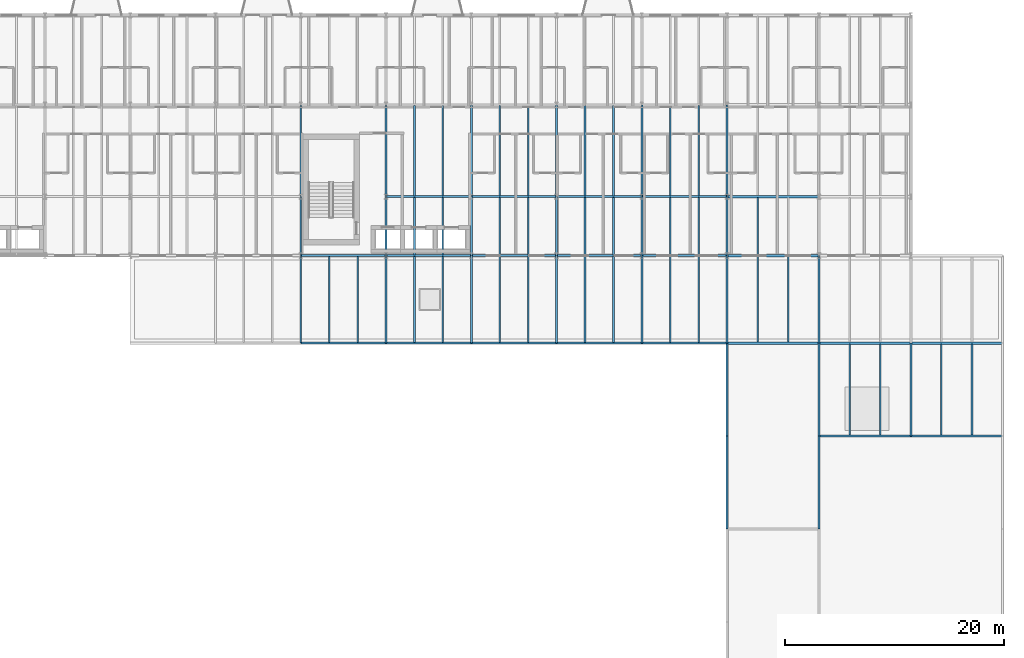
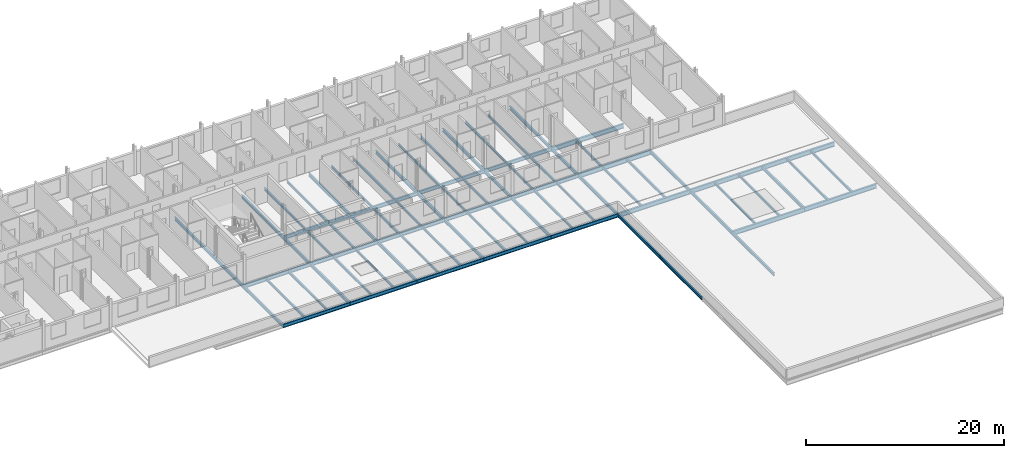
# One storey, part 13 of 36: 78 beams.
"""IFC4 building model written with IfcOpenShell, lengths in metres."""

from ifc_helpers import new_model, si_unit, direction, frame, origin, origin_2d, place, context, subcontext, project, spatial, i_section, extrude, material, material_profile, profile_set, type_object, element, save


model = new_model("IFC4")

# Units and contexts
model_context = context("Model", 3, precision=1e-05, world=origin(), true_north=direction((0.0, 1.0)))
body_context = subcontext(model_context, "Body", "Model", "MODEL_VIEW")
ifc_project = project(units=[si_unit("LENGTHUNIT", "METRE"), si_unit("AREAUNIT", "SQUARE_METRE"), si_unit("VOLUMEUNIT", "CUBIC_METRE"), si_unit("PLANEANGLEUNIT", "RADIAN"), si_unit("MASSUNIT", "GRAM", prefix="KILO")], contexts=[model_context])

# Site, building, storey
site_placement = place(None, origin())
site = spatial("IfcSite", under=ifc_project, at=site_placement, CompositionType="ELEMENT")
building_placement = place(site_placement, origin())
building = spatial("IfcBuilding", under=site, at=building_placement, Name="Sefraquen Railside Congress Hotel", CompositionType="ELEMENT")
storey_placement = place(building_placement, frame((0.0, 0.0, 24.60009765625)))
storey = spatial("IfcBuildingStorey", under=building, at=storey_placement, Name="L05", CompositionType="ELEMENT", Elevation=24.60009765625)

# Beams
ifc_material = material(Name="Steel S355JR", Category="steel")
ifc_material_profile_1 = material_profile(ifc_material, i_section(OverallWidth=0.179931640625, OverallDepth=0.39990234375, WebThickness=0.008544921875, FlangeThickness=0.013427734375, FilletRadius=0.02099609375, at=origin_2d()), Name="IPE 400")
ifc_profile_set_1 = profile_set([ifc_material_profile_1], Name="Steel S355JR")
beam_type_1 = type_object("IfcBeamType", Name="TB-BM-400I", PredefinedType="BEAM", material=ifc_profile_set_1)
beam_1_placement = place(storey_placement, frame((64.199951171875, 88.0, -0.460205078125), z_axis=(0.0, 1.0, 0.0), x_axis=(-1.0, 0.0, 0.0)))
element("IfcBeam", 1, at=beam_1_placement, inside=storey, type_object=beam_type_1, Name="Floor beam BM-L05-1539", PredefinedType="BEAM", context=body_context, shape_type="SweptSolid", body=[
    extrude(i_section(OverallWidth=0.179931640625, OverallDepth=0.39990234375, WebThickness=0.008544921875, FlangeThickness=0.013427734375, FilletRadius=0.02099609375, at=origin_2d()), origin(), (0.0, 0.0, 1.0), 8.0),
])
beam_2_placement = place(storey_placement, frame((64.199951171875, 96.0, -0.460205078125), z_axis=(0.0, 1.0, 0.0), x_axis=(-1.0, 0.0, 0.0)))
element("IfcBeam", 2, at=beam_2_placement, inside=storey, type_object=beam_type_1, Name="Floor beam BM-L05-1540", PredefinedType="BEAM", context=body_context, shape_type="SweptSolid", body=[
    extrude(i_section(OverallWidth=0.179931640625, OverallDepth=0.39990234375, WebThickness=0.008544921875, FlangeThickness=0.013427734375, FilletRadius=0.02099609375, at=origin_2d()), origin(), (0.0, 0.0, 1.0), 5.39990234375),
])
beam_3_placement = place(storey_placement, frame((64.199951171875, 101.39990234375, -0.460205078125), z_axis=(0.0, 1.0, 0.0), x_axis=(-1.0, 0.0, 0.0)))
element("IfcBeam", 3, at=beam_3_placement, inside=storey, type_object=beam_type_1, Name="Floor beam BM-L05-1541", PredefinedType="BEAM", context=body_context, shape_type="SweptSolid", body=[
    extrude(i_section(OverallWidth=0.179931640625, OverallDepth=0.39990234375, WebThickness=0.008544921875, FlangeThickness=0.013427734375, FilletRadius=0.02099609375, at=origin_2d()), origin(), (0.0, 0.0, 1.0), 8.400146484375),
])
beam_4_placement = place(storey_placement, frame((72.0, 88.0, -0.460205078125), z_axis=(0.0, 1.0, 0.0), x_axis=(-1.0, 0.0, 0.0)))
element("IfcBeam", 4, at=beam_4_placement, inside=storey, type_object=beam_type_1, Name="Floor beam BM-L05-1543", PredefinedType="BEAM", context=body_context, shape_type="SweptSolid", body=[
    extrude(i_section(OverallWidth=0.179931640625, OverallDepth=0.39990234375, WebThickness=0.008544921875, FlangeThickness=0.013427734375, FilletRadius=0.02099609375, at=origin_2d()), origin(), (0.0, 0.0, 1.0), 8.0),
])
beam_5_placement = place(storey_placement, frame((72.0, 96.0, -0.460205078125), z_axis=(0.0, 1.0, 0.0), x_axis=(-1.0, 0.0, 0.0)))
element("IfcBeam", 5, at=beam_5_placement, inside=storey, type_object=beam_type_1, Name="Floor beam BM-L05-1544", PredefinedType="BEAM", context=body_context, shape_type="SweptSolid", body=[
    extrude(i_section(OverallWidth=0.179931640625, OverallDepth=0.39990234375, WebThickness=0.008544921875, FlangeThickness=0.013427734375, FilletRadius=0.02099609375, at=origin_2d()), origin(), (0.0, 0.0, 1.0), 5.39990234375),
])
beam_6_placement = place(storey_placement, frame((72.0, 101.39990234375, -0.460205078125), z_axis=(0.0, 1.0, 0.0), x_axis=(-1.0, 0.0, 0.0)))
element("IfcBeam", 6, at=beam_6_placement, inside=storey, type_object=beam_type_1, Name="Floor beam BM-L05-1545", PredefinedType="BEAM", context=body_context, shape_type="SweptSolid", body=[
    extrude(i_section(OverallWidth=0.179931640625, OverallDepth=0.39990234375, WebThickness=0.008544921875, FlangeThickness=0.013427734375, FilletRadius=0.02099609375, at=origin_2d()), origin(), (0.0, 0.0, 1.0), 8.400146484375),
])
beam_7_placement = place(storey_placement, frame((79.800048828125, 88.0, -0.460205078125), z_axis=(0.0, 1.0, 0.0), x_axis=(-1.0, 0.0, 0.0)))
element("IfcBeam", 7, at=beam_7_placement, inside=storey, type_object=beam_type_1, Name="Floor beam BM-L05-1547", PredefinedType="BEAM", context=body_context, shape_type="SweptSolid", body=[
    extrude(i_section(OverallWidth=0.179931640625, OverallDepth=0.39990234375, WebThickness=0.008544921875, FlangeThickness=0.013427734375, FilletRadius=0.02099609375, at=origin_2d()), origin(), (0.0, 0.0, 1.0), 8.0),
])
beam_8_placement = place(storey_placement, frame((79.800048828125, 96.0, -0.460205078125), z_axis=(0.0, 1.0, 0.0), x_axis=(-1.0, 0.0, 0.0)))
element("IfcBeam", 8, at=beam_8_placement, inside=storey, type_object=beam_type_1, Name="Floor beam BM-L05-1548", PredefinedType="BEAM", context=body_context, shape_type="SweptSolid", body=[
    extrude(i_section(OverallWidth=0.179931640625, OverallDepth=0.39990234375, WebThickness=0.008544921875, FlangeThickness=0.013427734375, FilletRadius=0.02099609375, at=origin_2d()), origin(), (0.0, 0.0, 1.0), 5.39990234375),
])
beam_9_placement = place(storey_placement, frame((79.800048828125, 101.39990234375, -0.460205078125), z_axis=(0.0, 1.0, 0.0), x_axis=(-1.0, 0.0, 0.0)))
element("IfcBeam", 9, at=beam_9_placement, inside=storey, type_object=beam_type_1, Name="Floor beam BM-L05-1549", PredefinedType="BEAM", context=body_context, shape_type="SweptSolid", body=[
    extrude(i_section(OverallWidth=0.179931640625, OverallDepth=0.39990234375, WebThickness=0.008544921875, FlangeThickness=0.013427734375, FilletRadius=0.02099609375, at=origin_2d()), origin(), (0.0, 0.0, 1.0), 8.400146484375),
])
beam_10_placement = place(storey_placement, frame((87.60009765625, 88.0, -0.460205078125), z_axis=(0.0, 1.0, 0.0), x_axis=(-1.0, 0.0, 0.0)))
element("IfcBeam", 10, at=beam_10_placement, inside=storey, type_object=beam_type_1, Name="Floor beam BM-L05-1551", PredefinedType="BEAM", context=body_context, shape_type="SweptSolid", body=[
    extrude(i_section(OverallWidth=0.179931640625, OverallDepth=0.39990234375, WebThickness=0.008544921875, FlangeThickness=0.013427734375, FilletRadius=0.02099609375, at=origin_2d()), origin(), (0.0, 0.0, 1.0), 8.0),
])
beam_11_placement = place(storey_placement, frame((87.60009765625, 96.0, -0.460205078125), z_axis=(0.0, 1.0, 0.0), x_axis=(-1.0, 0.0, 0.0)))
element("IfcBeam", 11, at=beam_11_placement, inside=storey, type_object=beam_type_1, Name="Floor beam BM-L05-1552", PredefinedType="BEAM", context=body_context, shape_type="SweptSolid", body=[
    extrude(i_section(OverallWidth=0.179931640625, OverallDepth=0.39990234375, WebThickness=0.008544921875, FlangeThickness=0.013427734375, FilletRadius=0.02099609375, at=origin_2d()), origin(), (0.0, 0.0, 1.0), 5.39990234375),
])
beam_12_placement = place(storey_placement, frame((87.60009765625, 101.39990234375, -0.460205078125), z_axis=(0.0, 1.0, 0.0), x_axis=(-1.0, 0.0, 0.0)))
element("IfcBeam", 12, at=beam_12_placement, inside=storey, type_object=beam_type_1, Name="Floor beam BM-L05-1553", PredefinedType="BEAM", context=body_context, shape_type="SweptSolid", body=[
    extrude(i_section(OverallWidth=0.179931640625, OverallDepth=0.39990234375, WebThickness=0.008544921875, FlangeThickness=0.013427734375, FilletRadius=0.02099609375, at=origin_2d()), origin(), (0.0, 0.0, 1.0), 8.400146484375),
])
beam_13_placement = place(storey_placement, frame((95.39990234375, 88.0, -0.460205078125), z_axis=(0.0, 1.0, 0.0), x_axis=(-1.0, 0.0, 0.0)))
element("IfcBeam", 13, at=beam_13_placement, inside=storey, type_object=beam_type_1, Name="Floor beam BM-L05-1555", PredefinedType="BEAM", context=body_context, shape_type="SweptSolid", body=[
    extrude(i_section(OverallWidth=0.179931640625, OverallDepth=0.39990234375, WebThickness=0.008544921875, FlangeThickness=0.013427734375, FilletRadius=0.02099609375, at=origin_2d()), origin(), (0.0, 0.0, 1.0), 8.0),
])
beam_14_placement = place(storey_placement, frame((95.39990234375, 96.0, -0.460205078125), z_axis=(0.0, 1.0, 0.0), x_axis=(-1.0, 0.0, 0.0)))
element("IfcBeam", 14, at=beam_14_placement, inside=storey, type_object=beam_type_1, Name="Floor beam BM-L05-1556", PredefinedType="BEAM", context=body_context, shape_type="SweptSolid", body=[
    extrude(i_section(OverallWidth=0.179931640625, OverallDepth=0.39990234375, WebThickness=0.008544921875, FlangeThickness=0.013427734375, FilletRadius=0.02099609375, at=origin_2d()), origin(), (0.0, 0.0, 1.0), 5.39990234375),
])
beam_15_placement = place(storey_placement, frame((95.39990234375, 101.39990234375, -0.460205078125), z_axis=(0.0, 1.0, 0.0), x_axis=(-1.0, 0.0, 0.0)))
element("IfcBeam", 15, at=beam_15_placement, inside=storey, type_object=beam_type_1, Name="Floor beam BM-L05-1557", PredefinedType="BEAM", context=body_context, shape_type="SweptSolid", body=[
    extrude(i_section(OverallWidth=0.179931640625, OverallDepth=0.39990234375, WebThickness=0.008544921875, FlangeThickness=0.013427734375, FilletRadius=0.02099609375, at=origin_2d()), origin(), (0.0, 0.0, 1.0), 8.400146484375),
])
for number, where, z_axis, x_axis, name in (
    (16, (103.199951171875, 71.0, -0.460205078125), (0.0, 1.0, 0.0), (-1.0, 0.0, 0.0), "Floor beam BM-L05-1561"),
    (17, (103.199951171875, 79.5, -0.460205078125), (0.0, 1.0, 0.0), (-1.0, 0.0, 0.0), "Floor beam BM-L05-1562"),
):
    element("IfcBeam", number, at=place(storey_placement, frame(where, z_axis=z_axis, x_axis=x_axis)), inside=storey, type_object=beam_type_1, Name=name, PredefinedType="BEAM", context=body_context, shape_type="SweptSolid", body=[
        extrude(i_section(OverallWidth=0.179931640625, OverallDepth=0.39990234375, WebThickness=0.008544921875, FlangeThickness=0.013427734375, FilletRadius=0.02099609375, at=origin_2d()), origin(), (0.0, 0.0, 1.0), 8.5),
    ])
beam_16_placement = place(storey_placement, frame((103.199951171875, 88.0, -0.460205078125), z_axis=(0.0, 1.0, 0.0), x_axis=(-1.0, 0.0, 0.0)))
element("IfcBeam", 18, at=beam_16_placement, inside=storey, type_object=beam_type_1, Name="Floor beam BM-L05-1563", PredefinedType="BEAM", context=body_context, shape_type="SweptSolid", body=[
    extrude(i_section(OverallWidth=0.179931640625, OverallDepth=0.39990234375, WebThickness=0.008544921875, FlangeThickness=0.013427734375, FilletRadius=0.02099609375, at=origin_2d()), origin(), (0.0, 0.0, 1.0), 8.0),
])
beam_17_placement = place(storey_placement, frame((103.199951171875, 96.0, -0.460205078125), z_axis=(0.0, 1.0, 0.0), x_axis=(-1.0, 0.0, 0.0)))
element("IfcBeam", 19, at=beam_17_placement, inside=storey, type_object=beam_type_1, Name="Floor beam BM-L05-1564", PredefinedType="BEAM", context=body_context, shape_type="SweptSolid", body=[
    extrude(i_section(OverallWidth=0.179931640625, OverallDepth=0.39990234375, WebThickness=0.008544921875, FlangeThickness=0.013427734375, FilletRadius=0.02099609375, at=origin_2d()), origin(), (0.0, 0.0, 1.0), 5.39990234375),
])
beam_18_placement = place(storey_placement, frame((103.199951171875, 101.39990234375, -0.460205078125), z_axis=(0.0, 1.0, 0.0), x_axis=(-1.0, 0.0, 0.0)))
element("IfcBeam", 20, at=beam_18_placement, inside=storey, type_object=beam_type_1, Name="Floor beam BM-L05-1565", PredefinedType="BEAM", context=body_context, shape_type="SweptSolid", body=[
    extrude(i_section(OverallWidth=0.179931640625, OverallDepth=0.39990234375, WebThickness=0.008544921875, FlangeThickness=0.013427734375, FilletRadius=0.02099609375, at=origin_2d()), origin(), (0.0, 0.0, 1.0), 8.400146484375),
])
for number, where, z_axis, x_axis, name in (
    (21, (111.60009765625, 71.0, -0.460205078125), (0.0, 1.0, 0.0), (-1.0, 0.0, 0.0), "Floor beam BM-L05-1569"),
    (22, (111.60009765625, 79.5, -0.460205078125), (0.0, 1.0, 0.0), (-1.0, 0.0, 0.0), "Floor beam BM-L05-1570"),
):
    element("IfcBeam", number, at=place(storey_placement, frame(where, z_axis=z_axis, x_axis=x_axis)), inside=storey, type_object=beam_type_1, Name=name, PredefinedType="BEAM", context=body_context, shape_type="SweptSolid", body=[
        extrude(i_section(OverallWidth=0.179931640625, OverallDepth=0.39990234375, WebThickness=0.008544921875, FlangeThickness=0.013427734375, FilletRadius=0.02099609375, at=origin_2d()), origin(), (0.0, 0.0, 1.0), 8.5),
    ])
beam_19_placement = place(storey_placement, frame((111.60009765625, 88.0, -0.460205078125), z_axis=(0.0, 1.0, 0.0), x_axis=(-1.0, 0.0, 0.0)))
element("IfcBeam", 23, at=beam_19_placement, inside=storey, type_object=beam_type_1, Name="Floor beam BM-L05-1571", PredefinedType="BEAM", context=body_context, shape_type="SweptSolid", body=[
    extrude(i_section(OverallWidth=0.179931640625, OverallDepth=0.39990234375, WebThickness=0.008544921875, FlangeThickness=0.013427734375, FilletRadius=0.02099609375, at=origin_2d()), origin(), (0.0, 0.0, 1.0), 8.0),
])
beam_20_placement = place(storey_placement, frame((120.0, 79.5, -0.460205078125), z_axis=(0.0, 1.0, 0.0), x_axis=(-1.0, 0.0, 0.0)))
element("IfcBeam", 24, at=beam_20_placement, inside=storey, type_object=beam_type_1, Name="Floor beam BM-L05-1576", PredefinedType="BEAM", context=body_context, shape_type="SweptSolid", body=[
    extrude(i_section(OverallWidth=0.179931640625, OverallDepth=0.39990234375, WebThickness=0.008544921875, FlangeThickness=0.013427734375, FilletRadius=0.02099609375, at=origin_2d()), origin(), (0.0, 0.0, 1.0), 8.5),
])
ifc_material_profile_2 = material_profile(ifc_material, i_section(OverallWidth=0.18994140625, OverallDepth=0.449951171875, WebThickness=0.009521484375, FlangeThickness=0.0146484375, FilletRadius=0.02099609375, at=origin_2d()), Name="IPE 450")
ifc_profile_set_2 = profile_set([ifc_material_profile_2], Name="Steel S355JR")
beam_type_2 = type_object("IfcBeamType", Name="TB-BM-450", PredefinedType="BEAM", material=ifc_profile_set_2)
for number, where, z_axis, x_axis, name in (
    (25, (64.199951171875, 88.0, -0.485107421875), (1.0, 0.0, 0.0), (0.0, 1.0, 0.0), "Primary girder BM-L05-1443"),
    (26, (72.0, 88.0, -0.485107421875), (1.0, 0.0, 0.0), (0.0, 1.0, 0.0), "Primary girder BM-L05-1444"),
    (27, (79.800048828125, 88.0, -0.485107421875), (1.0, 0.0, 0.0), (0.0, 1.0, 0.0), "Primary girder BM-L05-1445"),
):
    element("IfcBeam", number, at=place(storey_placement, frame(where, z_axis=z_axis, x_axis=x_axis)), inside=storey, type_object=beam_type_2, Name=name, PredefinedType="BEAM", context=body_context, shape_type="SweptSolid", body=[
        extrude(i_section(OverallWidth=0.18994140625, OverallDepth=0.449951171875, WebThickness=0.009521484375, FlangeThickness=0.0146484375, FilletRadius=0.02099609375, at=origin_2d()), origin(), (0.0, 0.0, 1.0), 7.800048828125),
    ])
beam_21_placement = place(storey_placement, frame((87.60009765625, 88.0, -0.485107421875), z_axis=(1.0, 0.0, 0.0), x_axis=(0.0, 1.0, 0.0)))
element("IfcBeam", 28, at=beam_21_placement, inside=storey, type_object=beam_type_2, Name="Primary girder BM-L05-1446", PredefinedType="BEAM", context=body_context, shape_type="SweptSolid", body=[
    extrude(i_section(OverallWidth=0.18994140625, OverallDepth=0.449951171875, WebThickness=0.009521484375, FlangeThickness=0.0146484375, FilletRadius=0.02099609375, at=origin_2d()), origin(), (0.0, 0.0, 1.0), 7.7998046875),
])
for number, where, z_axis, x_axis, name in (
    (29, (95.39990234375, 88.0, -0.485107421875), (1.0, 0.0, 0.0), (0.0, 1.0, 0.0), "Primary girder BM-L05-1447"),
    (30, (64.199951171875, 96.0, -0.485107421875), (1.0, 0.0, 0.0), (0.0, 1.0, 0.0), "Primary girder BM-L05-1458"),
    (31, (72.0, 96.0, -0.485107421875), (1.0, 0.0, 0.0), (0.0, 1.0, 0.0), "Primary girder BM-L05-1459"),
    (32, (79.800048828125, 96.0, -0.485107421875), (1.0, 0.0, 0.0), (0.0, 1.0, 0.0), "Primary girder BM-L05-1460"),
):
    element("IfcBeam", number, at=place(storey_placement, frame(where, z_axis=z_axis, x_axis=x_axis)), inside=storey, type_object=beam_type_2, Name=name, PredefinedType="BEAM", context=body_context, shape_type="SweptSolid", body=[
        extrude(i_section(OverallWidth=0.18994140625, OverallDepth=0.449951171875, WebThickness=0.009521484375, FlangeThickness=0.0146484375, FilletRadius=0.02099609375, at=origin_2d()), origin(), (0.0, 0.0, 1.0), 7.800048828125),
    ])
beam_22_placement = place(storey_placement, frame((87.60009765625, 96.0, -0.485107421875), z_axis=(1.0, 0.0, 0.0), x_axis=(0.0, 1.0, 0.0)))
element("IfcBeam", 33, at=beam_22_placement, inside=storey, type_object=beam_type_2, Name="Primary girder BM-L05-1461", PredefinedType="BEAM", context=body_context, shape_type="SweptSolid", body=[
    extrude(i_section(OverallWidth=0.18994140625, OverallDepth=0.449951171875, WebThickness=0.009521484375, FlangeThickness=0.0146484375, FilletRadius=0.02099609375, at=origin_2d()), origin(), (0.0, 0.0, 1.0), 7.7998046875),
])
for number, where, z_axis, x_axis, name in (
    (34, (95.39990234375, 96.0, -0.485107421875), (1.0, 0.0, 0.0), (0.0, 1.0, 0.0), "Primary girder BM-L05-1462"),
    (35, (72.0, 101.39990234375, -0.485107421875), (1.0, 0.0, 0.0), (0.0, 1.0, 0.0), "Primary girder BM-L05-1472"),
    (36, (79.800048828125, 101.39990234375, -0.485107421875), (1.0, 0.0, 0.0), (0.0, 1.0, 0.0), "Primary girder BM-L05-1473"),
):
    element("IfcBeam", number, at=place(storey_placement, frame(where, z_axis=z_axis, x_axis=x_axis)), inside=storey, type_object=beam_type_2, Name=name, PredefinedType="BEAM", context=body_context, shape_type="SweptSolid", body=[
        extrude(i_section(OverallWidth=0.18994140625, OverallDepth=0.449951171875, WebThickness=0.009521484375, FlangeThickness=0.0146484375, FilletRadius=0.02099609375, at=origin_2d()), origin(), (0.0, 0.0, 1.0), 7.800048828125),
    ])
beam_23_placement = place(storey_placement, frame((87.60009765625, 101.39990234375, -0.485107421875), z_axis=(1.0, 0.0, 0.0), x_axis=(0.0, 1.0, 0.0)))
element("IfcBeam", 37, at=beam_23_placement, inside=storey, type_object=beam_type_2, Name="Primary girder BM-L05-1474", PredefinedType="BEAM", context=body_context, shape_type="SweptSolid", body=[
    extrude(i_section(OverallWidth=0.18994140625, OverallDepth=0.449951171875, WebThickness=0.009521484375, FlangeThickness=0.0146484375, FilletRadius=0.02099609375, at=origin_2d()), origin(), (0.0, 0.0, 1.0), 7.7998046875),
])
beam_24_placement = place(storey_placement, frame((95.39990234375, 101.39990234375, -0.485107421875), z_axis=(1.0, 0.0, 0.0), x_axis=(0.0, 1.0, 0.0)))
element("IfcBeam", 38, at=beam_24_placement, inside=storey, type_object=beam_type_2, Name="Primary girder BM-L05-1475", PredefinedType="BEAM", context=body_context, shape_type="SweptSolid", body=[
    extrude(i_section(OverallWidth=0.18994140625, OverallDepth=0.449951171875, WebThickness=0.009521484375, FlangeThickness=0.0146484375, FilletRadius=0.02099609375, at=origin_2d()), origin(), (0.0, 0.0, 1.0), 7.800048828125),
])
ifc_material_profile_3 = material_profile(ifc_material, i_section(OverallWidth=0.2099609375, OverallDepth=0.550048828125, WebThickness=0.010986328125, FlangeThickness=0.01708984375, FilletRadius=0.02392578125, at=origin_2d()), Name="IPE 550")
ifc_profile_set_3 = profile_set([ifc_material_profile_3], Name="Steel S355JR")
beam_type_3 = type_object("IfcBeamType", Name="TB-GIR-550", PredefinedType="T_BEAM", material=ifc_profile_set_3)
for number, where, z_axis, x_axis, name in (
    (39, (111.60009765625, 79.5, -0.53515625), (1.0, 0.0, 0.0), (0.0, 1.0, 0.0), "Primary girder BM-L05-1438"),
    (40, (120.0, 79.5, -0.53515625), (1.0, 0.0, 0.0), (0.0, 1.0, 0.0), "Primary girder BM-L05-1439"),
):
    element("IfcBeam", number, at=place(storey_placement, frame(where, z_axis=z_axis, x_axis=x_axis)), inside=storey, type_object=beam_type_3, Name=name, PredefinedType="T_BEAM", context=body_context, shape_type="SweptSolid", body=[
        extrude(i_section(OverallWidth=0.2099609375, OverallDepth=0.550048828125, WebThickness=0.010986328125, FlangeThickness=0.01708984375, FilletRadius=0.02392578125, at=origin_2d()), origin(), (0.0, 0.0, 1.0), 8.39990234375),
    ])
beam_25_placement = place(storey_placement, frame((103.199951171875, 88.0, -0.53515625), z_axis=(1.0, 0.0, 0.0), x_axis=(0.0, 1.0, 0.0)))
element("IfcBeam", 41, at=beam_25_placement, inside=storey, type_object=beam_type_3, Name="Primary girder BM-L05-1448", PredefinedType="T_BEAM", context=body_context, shape_type="SweptSolid", body=[
    extrude(i_section(OverallWidth=0.2099609375, OverallDepth=0.550048828125, WebThickness=0.010986328125, FlangeThickness=0.01708984375, FilletRadius=0.02392578125, at=origin_2d()), origin(), (0.0, 0.0, 1.0), 8.400146484375),
])
for number, where, z_axis, x_axis, name in (
    (42, (111.60009765625, 88.0, -0.53515625), (1.0, 0.0, 0.0), (0.0, 1.0, 0.0), "Primary girder BM-L05-1449"),
    (43, (120.0, 88.0, -0.53515625), (1.0, 0.0, 0.0), (0.0, 1.0, 0.0), "Primary girder BM-L05-1450"),
):
    element("IfcBeam", number, at=place(storey_placement, frame(where, z_axis=z_axis, x_axis=x_axis)), inside=storey, type_object=beam_type_3, Name=name, PredefinedType="T_BEAM", context=body_context, shape_type="SweptSolid", body=[
        extrude(i_section(OverallWidth=0.2099609375, OverallDepth=0.550048828125, WebThickness=0.010986328125, FlangeThickness=0.01708984375, FilletRadius=0.02392578125, at=origin_2d()), origin(), (0.0, 0.0, 1.0), 8.39990234375),
    ])
for number, where, z_axis, x_axis, name in (
    (44, (103.199951171875, 96.0, -0.53515625), (1.0, 0.0, 0.0), (0.0, 1.0, 0.0), "Primary girder BM-L05-1463"),
    (45, (103.199951171875, 101.39990234375, -0.53515625), (1.0, 0.0, 0.0), (0.0, 1.0, 0.0), "Primary girder BM-L05-1476"),
):
    element("IfcBeam", number, at=place(storey_placement, frame(where, z_axis=z_axis, x_axis=x_axis)), inside=storey, type_object=beam_type_3, Name=name, PredefinedType="T_BEAM", context=body_context, shape_type="SweptSolid", body=[
        extrude(i_section(OverallWidth=0.2099609375, OverallDepth=0.550048828125, WebThickness=0.010986328125, FlangeThickness=0.01708984375, FilletRadius=0.02392578125, at=origin_2d()), origin(), (0.0, 0.0, 1.0), 8.400146484375),
    ])
ifc_material_profile_4 = material_profile(ifc_material, i_section(OverallWidth=0.14990234375, OverallDepth=0.300048828125, WebThickness=0.007080078125, FlangeThickness=0.0107421875, FilletRadius=0.014892578125, at=origin_2d()), Name="IPE 300")
ifc_profile_set_4 = profile_set([ifc_material_profile_4], Name="Steel S355JR")
beam_type_4 = type_object("IfcBeamType", Name="TB-JST-300", PredefinedType="JOIST", material=ifc_profile_set_4)
for number, where, z_axis, x_axis, name in (
    (46, (66.800048828125, 88.074951171875, -0.41015625), (0.0, 1.0, 0.0), (-1.0, 0.0, 0.0), "Composite floor joist BM-L05-J0992"),
    (47, (69.39990234375, 88.074951171875, -0.41015625), (0.0, 1.0, 0.0), (-1.0, 0.0, 0.0), "Composite floor joist BM-L05-J0993"),
    (48, (74.60009765625, 88.074951171875, -0.41015625), (0.0, 1.0, 0.0), (-1.0, 0.0, 0.0), "Composite floor joist BM-L05-J0996"),
    (49, (77.199951171875, 88.074951171875, -0.41015625), (0.0, 1.0, 0.0), (-1.0, 0.0, 0.0), "Composite floor joist BM-L05-J0997"),
):
    element("IfcBeam", number, at=place(storey_placement, frame(where, z_axis=z_axis, x_axis=x_axis)), inside=storey, type_object=beam_type_4, Name=name, PredefinedType="JOIST", context=body_context, shape_type="SweptSolid", body=[
        extrude(i_section(OverallWidth=0.14990234375, OverallDepth=0.300048828125, WebThickness=0.007080078125, FlangeThickness=0.0107421875, FilletRadius=0.014892578125, at=origin_2d()), origin(), (0.0, 0.0, 1.0), 7.85009765625),
    ])
for number, where, z_axis, x_axis, name in (
    (50, (74.60009765625, 96.074951171875, -0.41015625), (0.0, 1.0, 0.0), (-1.0, 0.0, 0.0), "Composite floor joist BM-L05-J0998"),
    (51, (77.199951171875, 96.074951171875, -0.41015625), (0.0, 1.0, 0.0), (-1.0, 0.0, 0.0), "Composite floor joist BM-L05-J0999"),
):
    element("IfcBeam", number, at=place(storey_placement, frame(where, z_axis=z_axis, x_axis=x_axis)), inside=storey, type_object=beam_type_4, Name=name, PredefinedType="JOIST", context=body_context, shape_type="SweptSolid", body=[
        extrude(i_section(OverallWidth=0.14990234375, OverallDepth=0.300048828125, WebThickness=0.007080078125, FlangeThickness=0.0107421875, FilletRadius=0.014892578125, at=origin_2d()), origin(), (0.0, 0.0, 1.0), 5.25),
    ])
for number, where, z_axis, x_axis, name in (
    (52, (74.60009765625, 101.47509765625, -0.41015625), (0.0, 1.0, 0.0), (-1.0, 0.0, 0.0), "Composite floor joist BM-L05-J1000"),
    (53, (77.199951171875, 101.47509765625, -0.41015625), (0.0, 1.0, 0.0), (-1.0, 0.0, 0.0), "Composite floor joist BM-L05-J1001"),
):
    element("IfcBeam", number, at=place(storey_placement, frame(where, z_axis=z_axis, x_axis=x_axis)), inside=storey, type_object=beam_type_4, Name=name, PredefinedType="JOIST", context=body_context, shape_type="SweptSolid", body=[
        extrude(i_section(OverallWidth=0.14990234375, OverallDepth=0.300048828125, WebThickness=0.007080078125, FlangeThickness=0.0107421875, FilletRadius=0.014892578125, at=origin_2d()), origin(), (0.0, 0.0, 1.0), 8.25),
    ])
for number, where, z_axis, x_axis, name in (
    (54, (82.39990234375, 88.074951171875, -0.41015625), (0.0, 1.0, 0.0), (-1.0, 0.0, 0.0), "Composite floor joist BM-L05-J1004"),
    (55, (85.0, 88.074951171875, -0.41015625), (0.0, 1.0, 0.0), (-1.0, 0.0, 0.0), "Composite floor joist BM-L05-J1005"),
):
    element("IfcBeam", number, at=place(storey_placement, frame(where, z_axis=z_axis, x_axis=x_axis)), inside=storey, type_object=beam_type_4, Name=name, PredefinedType="JOIST", context=body_context, shape_type="SweptSolid", body=[
        extrude(i_section(OverallWidth=0.14990234375, OverallDepth=0.300048828125, WebThickness=0.007080078125, FlangeThickness=0.0107421875, FilletRadius=0.014892578125, at=origin_2d()), origin(), (0.0, 0.0, 1.0), 7.85009765625),
    ])
for number, where, z_axis, x_axis, name in (
    (56, (82.39990234375, 96.074951171875, -0.41015625), (0.0, 1.0, 0.0), (-1.0, 0.0, 0.0), "Composite floor joist BM-L05-J1006"),
    (57, (85.0, 96.074951171875, -0.41015625), (0.0, 1.0, 0.0), (-1.0, 0.0, 0.0), "Composite floor joist BM-L05-J1007"),
):
    element("IfcBeam", number, at=place(storey_placement, frame(where, z_axis=z_axis, x_axis=x_axis)), inside=storey, type_object=beam_type_4, Name=name, PredefinedType="JOIST", context=body_context, shape_type="SweptSolid", body=[
        extrude(i_section(OverallWidth=0.14990234375, OverallDepth=0.300048828125, WebThickness=0.007080078125, FlangeThickness=0.0107421875, FilletRadius=0.014892578125, at=origin_2d()), origin(), (0.0, 0.0, 1.0), 5.25),
    ])
for number, where, z_axis, x_axis, name in (
    (58, (82.39990234375, 101.47509765625, -0.41015625), (0.0, 1.0, 0.0), (-1.0, 0.0, 0.0), "Composite floor joist BM-L05-J1008"),
    (59, (85.0, 101.47509765625, -0.41015625), (0.0, 1.0, 0.0), (-1.0, 0.0, 0.0), "Composite floor joist BM-L05-J1009"),
):
    element("IfcBeam", number, at=place(storey_placement, frame(where, z_axis=z_axis, x_axis=x_axis)), inside=storey, type_object=beam_type_4, Name=name, PredefinedType="JOIST", context=body_context, shape_type="SweptSolid", body=[
        extrude(i_section(OverallWidth=0.14990234375, OverallDepth=0.300048828125, WebThickness=0.007080078125, FlangeThickness=0.0107421875, FilletRadius=0.014892578125, at=origin_2d()), origin(), (0.0, 0.0, 1.0), 8.25),
    ])
for number, where, z_axis, x_axis, name in (
    (60, (90.199951171875, 88.074951171875, -0.41015625), (0.0, 1.0, 0.0), (-1.0, 0.0, 0.0), "Composite floor joist BM-L05-J1012"),
    (61, (92.800048828125, 88.074951171875, -0.41015625), (0.0, 1.0, 0.0), (-1.0, 0.0, 0.0), "Composite floor joist BM-L05-J1013"),
):
    element("IfcBeam", number, at=place(storey_placement, frame(where, z_axis=z_axis, x_axis=x_axis)), inside=storey, type_object=beam_type_4, Name=name, PredefinedType="JOIST", context=body_context, shape_type="SweptSolid", body=[
        extrude(i_section(OverallWidth=0.14990234375, OverallDepth=0.300048828125, WebThickness=0.007080078125, FlangeThickness=0.0107421875, FilletRadius=0.014892578125, at=origin_2d()), origin(), (0.0, 0.0, 1.0), 7.85009765625),
    ])
for number, where, z_axis, x_axis, name in (
    (62, (90.199951171875, 96.074951171875, -0.41015625), (0.0, 1.0, 0.0), (-1.0, 0.0, 0.0), "Composite floor joist BM-L05-J1014"),
    (63, (92.800048828125, 96.074951171875, -0.41015625), (0.0, 1.0, 0.0), (-1.0, 0.0, 0.0), "Composite floor joist BM-L05-J1015"),
):
    element("IfcBeam", number, at=place(storey_placement, frame(where, z_axis=z_axis, x_axis=x_axis)), inside=storey, type_object=beam_type_4, Name=name, PredefinedType="JOIST", context=body_context, shape_type="SweptSolid", body=[
        extrude(i_section(OverallWidth=0.14990234375, OverallDepth=0.300048828125, WebThickness=0.007080078125, FlangeThickness=0.0107421875, FilletRadius=0.014892578125, at=origin_2d()), origin(), (0.0, 0.0, 1.0), 5.25),
    ])
for number, where, z_axis, x_axis, name in (
    (64, (90.199951171875, 101.47509765625, -0.41015625), (0.0, 1.0, 0.0), (-1.0, 0.0, 0.0), "Composite floor joist BM-L05-J1016"),
    (65, (92.800048828125, 101.47509765625, -0.41015625), (0.0, 1.0, 0.0), (-1.0, 0.0, 0.0), "Composite floor joist BM-L05-J1017"),
):
    element("IfcBeam", number, at=place(storey_placement, frame(where, z_axis=z_axis, x_axis=x_axis)), inside=storey, type_object=beam_type_4, Name=name, PredefinedType="JOIST", context=body_context, shape_type="SweptSolid", body=[
        extrude(i_section(OverallWidth=0.14990234375, OverallDepth=0.300048828125, WebThickness=0.007080078125, FlangeThickness=0.0107421875, FilletRadius=0.014892578125, at=origin_2d()), origin(), (0.0, 0.0, 1.0), 8.25),
    ])
for number, where, z_axis, x_axis, name in (
    (66, (98.0, 88.074951171875, -0.41015625), (0.0, 1.0, 0.0), (-1.0, 0.0, 0.0), "Composite floor joist BM-L05-J1020"),
    (67, (100.60009765625, 88.074951171875, -0.41015625), (0.0, 1.0, 0.0), (-1.0, 0.0, 0.0), "Composite floor joist BM-L05-J1021"),
):
    element("IfcBeam", number, at=place(storey_placement, frame(where, z_axis=z_axis, x_axis=x_axis)), inside=storey, type_object=beam_type_4, Name=name, PredefinedType="JOIST", context=body_context, shape_type="SweptSolid", body=[
        extrude(i_section(OverallWidth=0.14990234375, OverallDepth=0.300048828125, WebThickness=0.007080078125, FlangeThickness=0.0107421875, FilletRadius=0.014892578125, at=origin_2d()), origin(), (0.0, 0.0, 1.0), 7.85009765625),
    ])
for number, where, z_axis, x_axis, name in (
    (68, (98.0, 96.074951171875, -0.41015625), (0.0, 1.0, 0.0), (-1.0, 0.0, 0.0), "Composite floor joist BM-L05-J1022"),
    (69, (100.60009765625, 96.074951171875, -0.41015625), (0.0, 1.0, 0.0), (-1.0, 0.0, 0.0), "Composite floor joist BM-L05-J1023"),
):
    element("IfcBeam", number, at=place(storey_placement, frame(where, z_axis=z_axis, x_axis=x_axis)), inside=storey, type_object=beam_type_4, Name=name, PredefinedType="JOIST", context=body_context, shape_type="SweptSolid", body=[
        extrude(i_section(OverallWidth=0.14990234375, OverallDepth=0.300048828125, WebThickness=0.007080078125, FlangeThickness=0.0107421875, FilletRadius=0.014892578125, at=origin_2d()), origin(), (0.0, 0.0, 1.0), 5.25),
    ])
for number, where, z_axis, x_axis, name in (
    (70, (98.0, 101.47509765625, -0.41015625), (0.0, 1.0, 0.0), (-1.0, 0.0, 0.0), "Composite floor joist BM-L05-J1024"),
    (71, (100.60009765625, 101.47509765625, -0.41015625), (0.0, 1.0, 0.0), (-1.0, 0.0, 0.0), "Composite floor joist BM-L05-J1025"),
):
    element("IfcBeam", number, at=place(storey_placement, frame(where, z_axis=z_axis, x_axis=x_axis)), inside=storey, type_object=beam_type_4, Name=name, PredefinedType="JOIST", context=body_context, shape_type="SweptSolid", body=[
        extrude(i_section(OverallWidth=0.14990234375, OverallDepth=0.300048828125, WebThickness=0.007080078125, FlangeThickness=0.0107421875, FilletRadius=0.014892578125, at=origin_2d()), origin(), (0.0, 0.0, 1.0), 8.25),
    ])
for number, where, z_axis, x_axis, name in (
    (72, (106.0, 88.0849609375, -0.41015625), (0.0, 1.0, 0.0), (-1.0, 0.0, 0.0), "Composite floor joist BM-L05-J1028"),
    (73, (108.800048828125, 88.0849609375, -0.41015625), (0.0, 1.0, 0.0), (-1.0, 0.0, 0.0), "Composite floor joist BM-L05-J1029"),
):
    element("IfcBeam", number, at=place(storey_placement, frame(where, z_axis=z_axis, x_axis=x_axis)), inside=storey, type_object=beam_type_4, Name=name, PredefinedType="JOIST", context=body_context, shape_type="SweptSolid", body=[
        extrude(i_section(OverallWidth=0.14990234375, OverallDepth=0.300048828125, WebThickness=0.007080078125, FlangeThickness=0.0107421875, FilletRadius=0.014892578125, at=origin_2d()), origin(), (0.0, 0.0, 1.0), 7.830078125),
    ])
beam_26_placement = place(storey_placement, frame((106.0, 96.0849609375, -0.41015625), z_axis=(0.0, 1.0, 0.0), x_axis=(-1.0, 0.0, 0.0)))
element("IfcBeam", 74, at=beam_26_placement, inside=storey, type_object=beam_type_4, Name="Composite floor joist BM-L05-J1030", PredefinedType="JOIST", context=body_context, shape_type="SweptSolid", body=[
    extrude(i_section(OverallWidth=0.14990234375, OverallDepth=0.300048828125, WebThickness=0.007080078125, FlangeThickness=0.0107421875, FilletRadius=0.014892578125, at=origin_2d()), origin(), (0.0, 0.0, 1.0), 5.22998046875),
])
for number, where, z_axis, x_axis, name in (
    (75, (114.39990234375, 79.5849609375, -0.41015625), (0.0, 1.0, 0.0), (-1.0, 0.0, 0.0), "Composite floor joist BM-L05-J1038"),
    (76, (117.199951171875, 79.5849609375, -0.41015625), (0.0, 1.0, 0.0), (-1.0, 0.0, 0.0), "Composite floor joist BM-L05-J1039"),
    (77, (122.800048828125, 79.5849609375, -0.41015625), (0.0, 1.0, 0.0), (-1.0, 0.0, 0.0), "Composite floor joist BM-L05-J1050"),
    (78, (125.60009765625, 79.5849609375, -0.41015625), (0.0, 1.0, 0.0), (-1.0, 0.0, 0.0), "Composite floor joist BM-L05-J1051"),
):
    element("IfcBeam", number, at=place(storey_placement, frame(where, z_axis=z_axis, x_axis=x_axis)), inside=storey, type_object=beam_type_4, Name=name, PredefinedType="JOIST", context=body_context, shape_type="SweptSolid", body=[
        extrude(i_section(OverallWidth=0.14990234375, OverallDepth=0.300048828125, WebThickness=0.007080078125, FlangeThickness=0.0107421875, FilletRadius=0.014892578125, at=origin_2d()), origin(), (0.0, 0.0, 1.0), 8.330078125),
    ])

save(model, "model.ifc")
